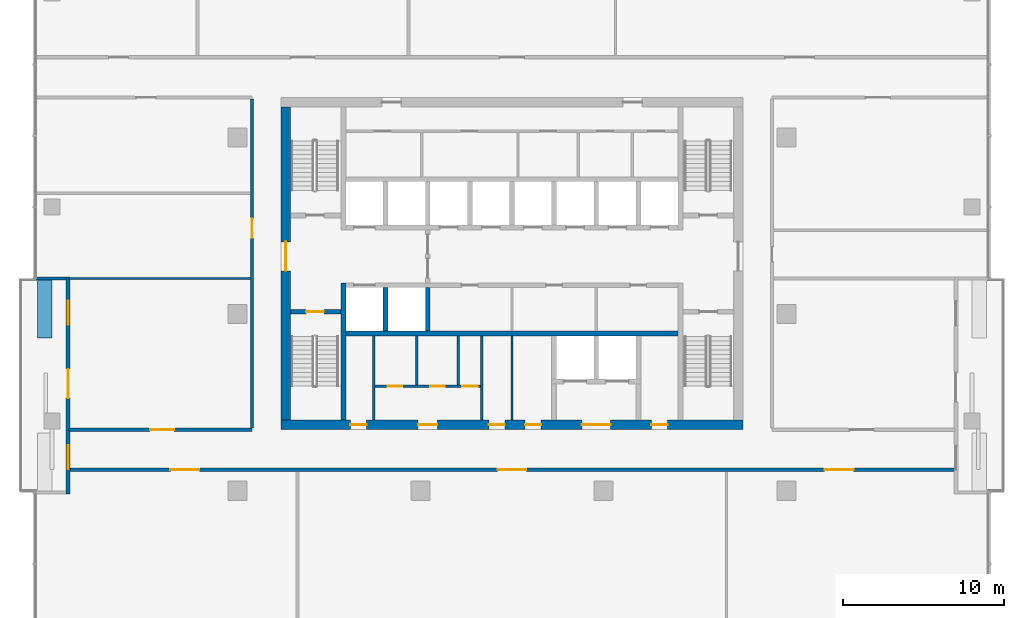
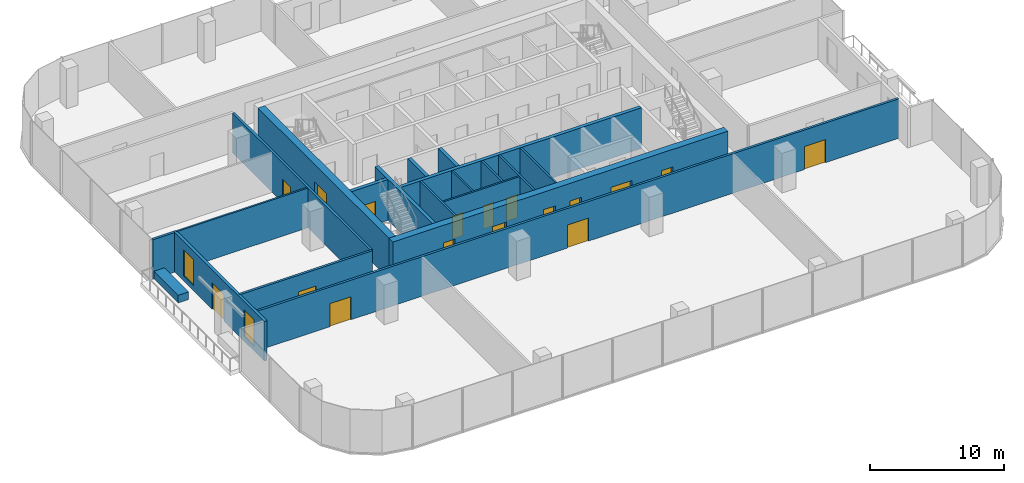
# One storey, part 7 of 13: 20 walls, 17 doors, 2 windows, 19 openings.
"""IFC4 building model written with IfcOpenShell, lengths in metres."""

from ifc_helpers import new_model, si_unit, direction, frame, frame_2d, origin, place, context, subcontext, project, spatial, rectangle, extrude, material, layer, layer_set, type_object, element, fill, save


model = new_model("IFC4")

# Units and contexts
model_context = context("Model", 3, precision=1e-05, world=origin(), true_north=direction((0.0, 1.0)))
body_context = subcontext(model_context, "Body", "Model", "MODEL_VIEW")
ifc_project = project(units=[si_unit("LENGTHUNIT", "METRE"), si_unit("AREAUNIT", "SQUARE_METRE"), si_unit("VOLUMEUNIT", "CUBIC_METRE"), si_unit("PLANEANGLEUNIT", "RADIAN"), si_unit("MASSUNIT", "GRAM", prefix="KILO")], contexts=[model_context])

# Site, building, storey
site_placement = place(None, origin())
site = spatial("IfcSite", under=ifc_project, at=site_placement, CompositionType="ELEMENT")
building_placement = place(site_placement, origin())
building = spatial("IfcBuilding", under=site, at=building_placement, Name="Mopane Tessera Tower", CompositionType="ELEMENT")
storey_placement = place(building_placement, frame((0.0, 0.0, 271.39990234375)))
storey = spatial("IfcBuildingStorey", under=building, at=storey_placement, Name="L58", CompositionType="ELEMENT", Elevation=271.39990234375)

# Wall
ifc_material_1 = material(Name="Fire-rated gypsum board partition")
ifc_layer_1 = layer(ifc_material_1, 0.14990234375)
ifc_layer_set_1 = layer_set([ifc_layer_1], Name="Fire-rated gypsum board partition")
wall_type_1 = type_object("IfcWallType", Name="Core room partition 150 mm", PredefinedType="PARTITIONING", material=ifc_layer_set_1)
wall_1_placement = place(storey_placement, frame((-8.625, -6.60009765625, 0.0), z_axis=(0.0, 0.0, 1.0), x_axis=(0.0, 1.0, 0.0)))
element("IfcWall", 1, at=wall_1_placement, inside=storey, type_object=wall_type_1, Name="L58 Room partition", PredefinedType="PARTITIONING", context=body_context, shape_type="SweptSolid", body=[
    extrude(rectangle(XDim=5.25, YDim=0.14990234375, at=frame_2d((2.625, 0.0))), origin(), (0.0, 0.0, 1.0), 3.7001953125),
])

# Wall, openings, doors
wall_2_placement = place(storey_placement, frame((-8.550048828125, -4.5, 0.0), z_axis=(0.0, 0.0, 1.0), x_axis=(1.0, 0.0, 0.0)))
wall_2 = element("IfcWall", 2, at=wall_2_placement, inside=storey, type_object=wall_type_1, Name="L58 WC partition", PredefinedType="PARTITIONING", context=body_context, shape_type="SweptSolid", body=[
    extrude(rectangle(XDim=6.60009765625, YDim=0.14990234375, at=frame_2d((3.300048828125, 0.0))), origin(), (0.0, 0.0, 1.0), 3.7001953125),
])
opening_1_placement = place(wall_2_placement, frame((0.824951171875, 0.0, 0.0)))
opening_1 = element("IfcOpeningElement", 3, at=opening_1_placement, cuts=wall_2, Name="Opening WD1", PredefinedType="OPENING", context=body_context, shape_type="SweptSolid", body=[
    extrude(rectangle(XDim=0.89990234375, YDim=2.10009765625, at=frame_2d((0.449951171875, 1.050048828125))), frame((0.0, 0.0869140625, 0.0), z_axis=(0.0, -1.0, 0.0), x_axis=(1.0, 0.0, 0.0)), (0.0, 0.0, 1.0), 0.173828125),
])
opening_2_placement = place(wall_2_placement, frame((3.45751953125, 0.0, 0.0)))
opening_2 = element("IfcOpeningElement", 4, at=opening_2_placement, cuts=wall_2, Name="Opening WD1", PredefinedType="OPENING", context=body_context, shape_type="SweptSolid", body=[
    extrude(rectangle(XDim=0.89990234375, YDim=2.10009765625, at=frame_2d((0.449951171875, 1.050048828125))), frame((0.0, 0.0869140625, 0.0), z_axis=(0.0, -1.0, 0.0), x_axis=(1.0, 0.0, 0.0)), (0.0, 0.0, 1.0), 0.173828125),
])
opening_3_placement = place(wall_2_placement, frame((5.45751953125, 0.0, 0.0)))
opening_3 = element("IfcOpeningElement", 5, at=opening_3_placement, cuts=wall_2, Name="Opening WD2", PredefinedType="OPENING", context=body_context, shape_type="SweptSolid", body=[
    extrude(rectangle(XDim=0.949951171875, YDim=2.10009765625, at=frame_2d((0.47509765625, 1.050048828125))), frame((0.0, 0.0869140625, 0.0), z_axis=(0.0, -1.0, 0.0), x_axis=(1.0, 0.0, 0.0)), (0.0, 0.0, 1.0), 0.173828125),
])
ifc_material_2 = material(Name="Timber door", Category="wood")
door_type_1 = type_object("IfcDoorType", Name="Accessible WC door 950 x 2100", OperationType="SINGLE_SWING_LEFT", PredefinedType="DOOR", material=ifc_material_2)
door_1_placement = place(opening_3_placement, origin())
door_1 = element("IfcDoor", 6, at=door_1_placement, inside=storey, type_object=door_type_1, Name="L58 Accessible WC door", OperationType="SINGLE_SWING_LEFT", OverallHeight=2.10009765625, OverallWidth=0.949951171875, PredefinedType="DOOR", context=body_context, shape_type="SweptSolid", body=[
    extrude(rectangle(XDim=0.949951171875, YDim=2.10009765625, at=frame_2d((0.47509765625, 1.050048828125))), frame((0.0, 0.02490234375, 0.0), z_axis=(0.0, -1.0, 0.0), x_axis=(1.0, 0.0, 0.0)), (0.0, 0.0, 1.0), 0.050048828125),
])
fill(opening_3, door_1)
ifc_material_3 = material(Name="Timber door", Category="wood")
door_type_2 = type_object("IfcDoorType", Name="WC cubicle door 900 x 2100", OperationType="SINGLE_SWING_LEFT", PredefinedType="DOOR", material=ifc_material_3)
door_2_placement = place(opening_1_placement, origin())
door_2 = element("IfcDoor", 7, at=door_2_placement, inside=storey, type_object=door_type_2, Name="L58 Men's WC door", OperationType="SINGLE_SWING_LEFT", OverallHeight=2.10009765625, OverallWidth=0.89990234375, PredefinedType="DOOR", context=body_context, shape_type="SweptSolid", body=[
    extrude(rectangle(XDim=0.89990234375, YDim=2.10009765625, at=frame_2d((0.449951171875, 1.050048828125))), frame((0.0, 0.02490234375, 0.0), z_axis=(0.0, -1.0, 0.0), x_axis=(1.0, 0.0, 0.0)), (0.0, 0.0, 1.0), 0.050048828125),
])
fill(opening_1, door_2)
door_3_placement = place(opening_2_placement, origin())
door_3 = element("IfcDoor", 8, at=door_3_placement, inside=storey, type_object=door_type_2, Name="L58 Women's WC door", OperationType="SINGLE_SWING_LEFT", OverallHeight=2.10009765625, OverallWidth=0.89990234375, PredefinedType="DOOR", context=body_context, shape_type="SweptSolid", body=[
    extrude(rectangle(XDim=0.89990234375, YDim=2.10009765625, at=frame_2d((0.449951171875, 1.050048828125))), frame((0.0, 0.02490234375, 0.0), z_axis=(0.0, -1.0, 0.0), x_axis=(1.0, 0.0, 0.0)), (0.0, 0.0, 1.0), 0.050048828125),
])
fill(opening_2, door_3)

# Walls
for number, where, z_axis, x_axis, name in (
    (9, (-5.925048828125, -4.425048828125, 0.0), (0.0, 0.0, 1.0), (0.0, 1.0, 0.0), "L58 WC partition"),
    (10, (-3.360107421875, -4.425048828125, 0.0), (0.0, 0.0, 1.0), (0.0, 1.0, 0.0), "L58 WC partition"),
):
    element("IfcWall", number, at=place(storey_placement, frame(where, z_axis=z_axis, x_axis=x_axis)), inside=storey, type_object=wall_type_1, Name=name, PredefinedType="PARTITIONING", context=body_context, shape_type="SweptSolid", body=[
        extrude(rectangle(XDim=3.074951171875, YDim=0.14990234375, at=frame_2d((1.53759765625, 0.0))), origin(), (0.0, 0.0, 1.0), 3.7001953125),
    ])
for number, where, z_axis, x_axis, name in (
    (11, (-1.875, -6.60009765625, 0.0), (0.0, 0.0, 1.0), (0.0, 1.0, 0.0), "L58 Room partition"),
    (12, (0.0, -6.60009765625, 0.0), (0.0, 0.0, 1.0), (0.0, 1.0, 0.0), "L58 Room partition"),
):
    element("IfcWall", number, at=place(storey_placement, frame(where, z_axis=z_axis, x_axis=x_axis)), inside=storey, type_object=wall_type_1, Name=name, PredefinedType="PARTITIONING", context=body_context, shape_type="SweptSolid", body=[
        extrude(rectangle(XDim=5.25, YDim=0.14990234375, at=frame_2d((2.625, 0.0))), origin(), (0.0, 0.0, 1.0), 3.7001953125),
    ])

# Wall, openings, doors
ifc_material_4 = material(Name="Concrete C70/85", Category="concrete")
ifc_layer_2 = layer(ifc_material_4, 0.60009765625)
ifc_layer_set_2 = layer_set([ifc_layer_2], Name="Concrete C70/85")
wall_type_2 = type_object("IfcWallType", Name="Core shear wall 600 mm", PredefinedType="SHEAR", material=ifc_layer_set_2)
wall_3_placement = place(storey_placement, frame((-14.39990234375, -6.89990234375, 0.0), z_axis=(0.0, 0.0, 1.0), x_axis=(1.0, 0.0, 0.0)))
wall_3 = element("IfcWall", 13, at=wall_3_placement, inside=storey, type_object=wall_type_2, Name="L58 Core wall south", PredefinedType="SHEAR", context=body_context, shape_type="SweptSolid", body=[
    extrude(rectangle(XDim=28.7998046875, YDim=0.60009765625, at=frame_2d((14.39990234375, 0.0))), origin(), (0.0, 0.0, 1.0), 3.7001953125),
])
opening_4_placement = place(wall_3_placement, frame((4.33740234375, 0.0, 0.0)))
opening_4 = element("IfcOpeningElement", 14, at=opening_4_placement, cuts=wall_3, Name="Opening RD1", PredefinedType="OPENING", context=body_context, shape_type="SweptSolid", body=[
    extrude(rectangle(XDim=1.0, YDim=2.10009765625, at=frame_2d((0.5, 1.050048828125))), frame((0.0, 0.31201171875, 0.0), z_axis=(0.0, -1.0, 0.0), x_axis=(1.0, 0.0, 0.0)), (0.0, 0.0, 1.0), 0.6240234375),
])
opening_5_placement = place(wall_3_placement, frame((8.550048828125, 0.0, 0.0)))
opening_5 = element("IfcOpeningElement", 15, at=opening_5_placement, cuts=wall_3, Name="Opening WD3", PredefinedType="OPENING", context=body_context, shape_type="SweptSolid", body=[
    extrude(rectangle(XDim=1.199951171875, YDim=2.10009765625, at=frame_2d((0.60009765625, 1.050048828125))), frame((0.0, 0.31201171875, 0.0), z_axis=(0.0, -1.0, 0.0), x_axis=(1.0, 0.0, 0.0)), (0.0, 0.0, 1.0), 0.6240234375),
])
opening_6_placement = place(wall_3_placement, frame((12.96240234375, 0.0, 0.0)))
opening_6 = element("IfcOpeningElement", 16, at=opening_6_placement, cuts=wall_3, Name="Opening RD1", PredefinedType="OPENING", context=body_context, shape_type="SweptSolid", body=[
    extrude(rectangle(XDim=1.0, YDim=2.10009765625, at=frame_2d((0.5, 1.050048828125))), frame((0.0, 0.31201171875, 0.0), z_axis=(0.0, -1.0, 0.0), x_axis=(1.0, 0.0, 0.0)), (0.0, 0.0, 1.0), 0.6240234375),
])
opening_7_placement = place(wall_3_placement, frame((15.21240234375, 0.0, 0.0)))
opening_7 = element("IfcOpeningElement", 17, at=opening_7_placement, cuts=wall_3, Name="Opening RD1", PredefinedType="OPENING", context=body_context, shape_type="SweptSolid", body=[
    extrude(rectangle(XDim=1.0, YDim=2.10009765625, at=frame_2d((0.5, 1.050048828125))), frame((0.0, 0.31201171875, 0.0), z_axis=(0.0, -1.0, 0.0), x_axis=(1.0, 0.0, 0.0)), (0.0, 0.0, 1.0), 0.6240234375),
])
opening_8_placement = place(wall_3_placement, frame((18.75, 0.0, 0.0)))
opening_8 = element("IfcOpeningElement", 18, at=opening_8_placement, cuts=wall_3, Name="Opening SD2", PredefinedType="OPENING", context=body_context, shape_type="SweptSolid", body=[
    extrude(rectangle(XDim=1.800048828125, YDim=2.10009765625, at=frame_2d((0.89990234375, 1.050048828125))), frame((0.0, 0.31201171875, 0.0), z_axis=(0.0, -1.0, 0.0), x_axis=(1.0, 0.0, 0.0)), (0.0, 0.0, 1.0), 0.6240234375),
])
opening_9_placement = place(wall_3_placement, frame((23.08740234375, 0.0, 0.0)))
opening_9 = element("IfcOpeningElement", 19, at=opening_9_placement, cuts=wall_3, Name="Opening RD1", PredefinedType="OPENING", context=body_context, shape_type="SweptSolid", body=[
    extrude(rectangle(XDim=1.0, YDim=2.10009765625, at=frame_2d((0.5, 1.050048828125))), frame((0.0, 0.31201171875, 0.0), z_axis=(0.0, -1.0, 0.0), x_axis=(1.0, 0.0, 0.0)), (0.0, 0.0, 1.0), 0.6240234375),
])
ifc_material_5 = material(Name="Steel fire door", Category="steel")
door_type_3 = type_object("IfcDoorType", Name="Core entrance double door 1800 x 2100", OperationType="DOUBLE_DOOR_SINGLE_SWING", PredefinedType="DOOR", material=ifc_material_5)
door_4_placement = place(opening_8_placement, origin())
door_4 = element("IfcDoor", 20, at=door_4_placement, inside=storey, type_object=door_type_3, Name="L58 Service lobby door", OperationType="DOUBLE_DOOR_SINGLE_SWING", OverallHeight=2.10009765625, OverallWidth=1.800048828125, PredefinedType="DOOR", context=body_context, shape_type="SweptSolid", body=[
    extrude(rectangle(XDim=1.800048828125, YDim=2.10009765625, at=frame_2d((0.89990234375, 1.050048828125))), frame((0.0, 0.02490234375, 0.0), z_axis=(0.0, -1.0, 0.0), x_axis=(1.0, 0.0, 0.0)), (0.0, 0.0, 1.0), 0.050048828125),
])
fill(opening_8, door_4)
ifc_material_6 = material(Name="Timber door", Category="wood")
door_type_4 = type_object("IfcDoorType", Name="Core room door 1000 x 2100", OperationType="SINGLE_SWING_LEFT", PredefinedType="DOOR", material=ifc_material_6)
door_5_placement = place(opening_4_placement, origin())
door_5 = element("IfcDoor", 21, at=door_5_placement, inside=storey, type_object=door_type_4, Name="L58 Room door", OperationType="SINGLE_SWING_LEFT", OverallHeight=2.10009765625, OverallWidth=1.0, PredefinedType="DOOR", context=body_context, shape_type="SweptSolid", body=[
    extrude(rectangle(XDim=1.0, YDim=2.10009765625, at=frame_2d((0.5, 1.050048828125))), frame((0.0, 0.02490234375, 0.0), z_axis=(0.0, -1.0, 0.0), x_axis=(1.0, 0.0, 0.0)), (0.0, 0.0, 1.0), 0.050048828125),
])
fill(opening_4, door_5)
door_6_placement = place(opening_6_placement, origin())
door_6 = element("IfcDoor", 22, at=door_6_placement, inside=storey, type_object=door_type_4, Name="L58 Room door", OperationType="SINGLE_SWING_LEFT", OverallHeight=2.10009765625, OverallWidth=1.0, PredefinedType="DOOR", context=body_context, shape_type="SweptSolid", body=[
    extrude(rectangle(XDim=1.0, YDim=2.10009765625, at=frame_2d((0.5, 1.050048828125))), frame((0.0, 0.02490234375, 0.0), z_axis=(0.0, -1.0, 0.0), x_axis=(1.0, 0.0, 0.0)), (0.0, 0.0, 1.0), 0.050048828125),
])
fill(opening_6, door_6)
door_7_placement = place(opening_7_placement, origin())
door_7 = element("IfcDoor", 23, at=door_7_placement, inside=storey, type_object=door_type_4, Name="L58 Room door", OperationType="SINGLE_SWING_LEFT", OverallHeight=2.10009765625, OverallWidth=1.0, PredefinedType="DOOR", context=body_context, shape_type="SweptSolid", body=[
    extrude(rectangle(XDim=1.0, YDim=2.10009765625, at=frame_2d((0.5, 1.050048828125))), frame((0.0, 0.02490234375, 0.0), z_axis=(0.0, -1.0, 0.0), x_axis=(1.0, 0.0, 0.0)), (0.0, 0.0, 1.0), 0.050048828125),
])
fill(opening_7, door_7)
door_8_placement = place(opening_9_placement, origin())
door_8 = element("IfcDoor", 24, at=door_8_placement, inside=storey, type_object=door_type_4, Name="L58 Room door", OperationType="SINGLE_SWING_LEFT", OverallHeight=2.10009765625, OverallWidth=1.0, PredefinedType="DOOR", context=body_context, shape_type="SweptSolid", body=[
    extrude(rectangle(XDim=1.0, YDim=2.10009765625, at=frame_2d((0.5, 1.050048828125))), frame((0.0, 0.02490234375, 0.0), z_axis=(0.0, -1.0, 0.0), x_axis=(1.0, 0.0, 0.0)), (0.0, 0.0, 1.0), 0.050048828125),
])
fill(opening_9, door_8)
ifc_material_7 = material(Name="Timber door", Category="wood")
door_type_5 = type_object("IfcDoorType", Name="WC lobby door 1200 x 2100", OperationType="SINGLE_SWING_LEFT", PredefinedType="DOOR", material=ifc_material_7)
door_9_placement = place(opening_5_placement, origin())
door_9 = element("IfcDoor", 25, at=door_9_placement, inside=storey, type_object=door_type_5, Name="L58 WC lobby door", OperationType="SINGLE_SWING_LEFT", OverallHeight=2.10009765625, OverallWidth=1.199951171875, PredefinedType="DOOR", context=body_context, shape_type="SweptSolid", body=[
    extrude(rectangle(XDim=1.199951171875, YDim=2.10009765625, at=frame_2d((0.60009765625, 1.050048828125))), frame((0.0, 0.02490234375, 0.0), z_axis=(0.0, -1.0, 0.0), x_axis=(1.0, 0.0, 0.0)), (0.0, 0.0, 1.0), 0.050048828125),
])
fill(opening_5, door_9)

# Wall, opening, door
wall_4_placement = place(storey_placement, frame((-14.10009765625, -6.60009765625, 0.0), z_axis=(0.0, 0.0, 1.0), x_axis=(0.0, 1.0, 0.0)))
wall_4 = element("IfcWall", 26, at=wall_4_placement, inside=storey, type_object=wall_type_2, Name="L58 Core wall west", PredefinedType="SHEAR", context=body_context, shape_type="SweptSolid", body=[
    extrude(rectangle(XDim=19.5, YDim=0.60009765625, at=frame_2d((9.75, 0.0))), origin(), (0.0, 0.0, 1.0), 3.7001953125),
])
opening_10_placement = place(wall_4_placement, frame((9.300048828125, 0.0, 0.0)))
opening_10 = element("IfcOpeningElement", 27, at=opening_10_placement, cuts=wall_4, Name="Opening SD2", PredefinedType="OPENING", context=body_context, shape_type="SweptSolid", body=[
    extrude(rectangle(XDim=1.800048828125, YDim=2.10009765625, at=frame_2d((0.89990234375, 1.050048828125))), frame((0.0, 0.31201171875, 0.0), z_axis=(0.0, -1.0, 0.0), x_axis=(1.0, 0.0, 0.0)), (0.0, 0.0, 1.0), 0.6240234375),
])
door_10_placement = place(opening_10_placement, origin())
door_10 = element("IfcDoor", 28, at=door_10_placement, inside=storey, type_object=door_type_3, Name="L58 Core entrance door west", OperationType="DOUBLE_DOOR_SINGLE_SWING", OverallHeight=2.10009765625, OverallWidth=1.800048828125, PredefinedType="DOOR", context=body_context, shape_type="SweptSolid", body=[
    extrude(rectangle(XDim=1.800048828125, YDim=2.10009765625, at=frame_2d((0.89990234375, 1.050048828125))), frame((0.0, 0.02490234375, 0.0), z_axis=(0.0, -1.0, 0.0), x_axis=(1.0, 0.0, 0.0)), (0.0, 0.0, 1.0), 0.050048828125),
])
fill(opening_10, door_10)

# Wall
ifc_material_8 = material(Name="Concrete C60/75", Category="concrete")
ifc_layer_3 = layer(ifc_material_8, 0.300048828125)
ifc_layer_set_3 = layer_set([ifc_layer_3], Name="Concrete C60/75")
wall_type_3 = type_object("IfcWallType", Name="Core spine wall 300 mm", PredefinedType="SHEAR", material=ifc_layer_set_3)
wall_5_placement = place(storey_placement, frame((-10.5, -6.60009765625, 0.0), z_axis=(0.0, 0.0, 1.0), x_axis=(0.0, 1.0, 0.0)))
element("IfcWall", 29, at=wall_5_placement, inside=storey, type_object=wall_type_3, Name="L58 Core spine wall", PredefinedType="SHEAR", context=body_context, shape_type="SweptSolid", body=[
    extrude(rectangle(XDim=8.550048828125, YDim=0.300048828125, at=frame_2d((4.27490234375, 0.0))), origin(), (0.0, 0.0, 1.0), 3.7001953125),
])

# Wall, openings, doors
ifc_material_9 = material(Name="Gypsum board on steel studs, two layers each face, mineral wool infill", Category="steel")
ifc_layer_4 = layer(ifc_material_9, 0.199951171875)
ifc_layer_set_4 = layer_set([ifc_layer_4], Name="Gypsum board on steel studs, two layers each face, mineral wool infill")
wall_type_4 = type_object("IfcWallType", Name="Gypsum board corridor wall 200, rated EI 60", PredefinedType="PARTITIONING", material=ifc_layer_set_4)
wall_6_placement = place(storey_placement, frame((-27.60009765625, -9.699951171875, 0.0), z_axis=(0.0, 0.0, 1.0), x_axis=(1.0, 0.0, 0.0)))
wall_6 = element("IfcWall", 30, at=wall_6_placement, inside=storey, type_object=wall_type_4, Name="Partition L58:000", PredefinedType="PARTITIONING", context=body_context, shape_type="SweptSolid", body=[
    extrude(rectangle(XDim=55.2001953125, YDim=0.199951171875, at=frame_2d((27.60009765625, 0.0))), origin(), (0.0, 0.0, 1.0), 3.60009765625),
])
opening_11_placement = place(wall_6_placement, frame((47.08251953125, 0.0, 0.0)))
opening_11 = element("IfcOpeningElement", 31, at=opening_11_placement, cuts=wall_6, Name="Opening L58-07", PredefinedType="OPENING", context=body_context, shape_type="SweptSolid", body=[
    extrude(rectangle(XDim=1.800048828125, YDim=2.10009765625, at=frame_2d((0.89990234375, 1.050048828125))), frame((0.0, 0.112060546875, 0.0), z_axis=(0.0, -1.0, 0.0), x_axis=(1.0, 0.0, 0.0)), (0.0, 0.0, 1.0), 0.223876953125),
])
opening_12_placement = place(wall_6_placement, frame((26.699951171875, 0.0, 0.0)))
opening_12 = element("IfcOpeningElement", 32, at=opening_12_placement, cuts=wall_6, Name="Opening L58-10", PredefinedType="OPENING", context=body_context, shape_type="SweptSolid", body=[
    extrude(rectangle(XDim=1.800048828125, YDim=2.10009765625, at=frame_2d((0.89990234375, 1.050048828125))), frame((0.0, 0.112060546875, 0.0), z_axis=(0.0, -1.0, 0.0), x_axis=(1.0, 0.0, 0.0)), (0.0, 0.0, 1.0), 0.223876953125),
])
opening_13_placement = place(wall_6_placement, frame((6.3173828125, 0.0, 0.0)))
opening_13 = element("IfcOpeningElement", 33, at=opening_13_placement, cuts=wall_6, Name="Opening L58-11", PredefinedType="OPENING", context=body_context, shape_type="SweptSolid", body=[
    extrude(rectangle(XDim=1.800048828125, YDim=2.10009765625, at=frame_2d((0.89990234375, 1.050048828125))), frame((0.0, 0.112060546875, 0.0), z_axis=(0.0, -1.0, 0.0), x_axis=(1.0, 0.0, 0.0)), (0.0, 0.0, 1.0), 0.223876953125),
])
ifc_material_10 = material(Name="Timber veneered steel-framed fire door", Category="steel")
door_type_6 = type_object("IfcDoorType", Name="Fire door pair FD60 1800 x 2100", OperationType="DOUBLE_DOOR_SINGLE_SWING", PredefinedType="DOOR", material=ifc_material_10)
door_11_placement = place(opening_11_placement, origin())
door_11 = element("IfcDoor", 34, at=door_11_placement, inside=storey, type_object=door_type_6, Name="Door L58-07", ObjectType="D20A", OperationType="DOUBLE_DOOR_SINGLE_SWING", OverallHeight=2.10009765625, OverallWidth=1.800048828125, PredefinedType="DOOR", context=body_context, shape_type="SweptSolid", body=[
    extrude(rectangle(XDim=1.800048828125, YDim=2.10009765625, at=frame_2d((0.89990234375, 1.050048828125))), frame((0.0, 0.02490234375, 0.0), z_axis=(0.0, -1.0, 0.0), x_axis=(1.0, 0.0, 0.0)), (0.0, 0.0, 1.0), 0.050048828125),
])
fill(opening_11, door_11)
door_12_placement = place(opening_12_placement, origin())
door_12 = element("IfcDoor", 35, at=door_12_placement, inside=storey, type_object=door_type_6, Name="Door L58-10", ObjectType="D20A", OperationType="DOUBLE_DOOR_SINGLE_SWING", OverallHeight=2.10009765625, OverallWidth=1.800048828125, PredefinedType="DOOR", context=body_context, shape_type="SweptSolid", body=[
    extrude(rectangle(XDim=1.800048828125, YDim=2.10009765625, at=frame_2d((0.89990234375, 1.050048828125))), frame((0.0, 0.02490234375, 0.0), z_axis=(0.0, -1.0, 0.0), x_axis=(1.0, 0.0, 0.0)), (0.0, 0.0, 1.0), 0.050048828125),
])
fill(opening_12, door_12)
door_13_placement = place(opening_13_placement, origin())
door_13 = element("IfcDoor", 36, at=door_13_placement, inside=storey, type_object=door_type_6, Name="Door L58-11", ObjectType="D20A", OperationType="DOUBLE_DOOR_SINGLE_SWING", OverallHeight=2.10009765625, OverallWidth=1.800048828125, PredefinedType="DOOR", context=body_context, shape_type="SweptSolid", body=[
    extrude(rectangle(XDim=1.800048828125, YDim=2.10009765625, at=frame_2d((0.89990234375, 1.050048828125))), frame((0.0, 0.02490234375, 0.0), z_axis=(0.0, -1.0, 0.0), x_axis=(1.0, 0.0, 0.0)), (0.0, 0.0, 1.0), 0.050048828125),
])
fill(opening_13, door_13)

# Wall, opening, door
wall_7_placement = place(storey_placement, frame((-27.60009765625, -7.199951171875, 0.0), z_axis=(0.0, 0.0, 1.0), x_axis=(1.0, 0.0, 0.0)))
wall_7 = element("IfcWall", 37, at=wall_7_placement, inside=storey, type_object=wall_type_4, Name="Partition L58:001", PredefinedType="PARTITIONING", context=body_context, shape_type="SweptSolid", body=[
    extrude(rectangle(XDim=11.400146484375, YDim=0.199951171875, at=frame_2d((5.7001953125, 0.0))), origin(), (0.0, 0.0, 1.0), 3.60009765625),
])
opening_14_placement = place(wall_7_placement, frame((5.050048828125, 0.0, 0.0)))
opening_14 = element("IfcOpeningElement", 38, at=opening_14_placement, cuts=wall_7, Name="Opening L58-03", PredefinedType="OPENING", context=body_context, shape_type="SweptSolid", body=[
    extrude(rectangle(XDim=1.5, YDim=2.10009765625, at=frame_2d((0.75, 1.050048828125))), frame((0.0, 0.112060546875, 0.0), z_axis=(0.0, -1.0, 0.0), x_axis=(1.0, 0.0, 0.0)), (0.0, 0.0, 1.0), 0.223876953125),
])
ifc_material_11 = material(Name="Timber veneered steel-framed fire door", Category="steel")
door_type_7 = type_object("IfcDoorType", Name="Fire door pair FD60 1500 x 2100", OperationType="DOUBLE_DOOR_SINGLE_SWING", PredefinedType="DOOR", material=ifc_material_11)
door_14_placement = place(opening_14_placement, origin())
door_14 = element("IfcDoor", 39, at=door_14_placement, inside=storey, type_object=door_type_7, Name="Door L58-03", ObjectType="D17A", OperationType="DOUBLE_DOOR_SINGLE_SWING", OverallHeight=2.10009765625, OverallWidth=1.5, PredefinedType="DOOR", context=body_context, shape_type="SweptSolid", body=[
    extrude(rectangle(XDim=1.5, YDim=2.10009765625, at=frame_2d((0.75, 1.050048828125))), frame((0.0, 0.02490234375, 0.0), z_axis=(0.0, -1.0, 0.0), x_axis=(1.0, 0.0, 0.0)), (0.0, 0.0, 1.0), 0.050048828125),
])
fill(opening_14, door_14)

wall_8_placement = place(storey_placement, frame((-16.199951171875, -7.10009765625, 0.0), z_axis=(0.0, 0.0, 1.0), x_axis=(0.0, 1.0, 0.0)))
wall_8 = element("IfcWall", 40, at=wall_8_placement, inside=storey, type_object=wall_type_4, Name="Partition L58:011", PredefinedType="PARTITIONING", context=body_context, shape_type="SweptSolid", body=[
    extrude(rectangle(XDim=20.5, YDim=0.199951171875, at=frame_2d((10.25, 0.0))), origin(), (0.0, 0.0, 1.0), 3.60009765625),
])
opening_15_placement = place(wall_8_placement, frame((11.844970703125, 0.0, 0.0)))
opening_15 = element("IfcOpeningElement", 41, at=opening_15_placement, cuts=wall_8, Name="Opening L58-09", PredefinedType="OPENING", context=body_context, shape_type="SweptSolid", body=[
    extrude(rectangle(XDim=1.199951171875, YDim=2.10009765625, at=frame_2d((0.60009765625, 1.050048828125))), frame((0.0, 0.112060546875, 0.0), z_axis=(0.0, -1.0, 0.0), x_axis=(1.0, 0.0, 0.0)), (0.0, 0.0, 1.0), 0.223876953125),
])
ifc_material_12 = material(Name="Timber veneered steel-framed fire door", Category="steel")
door_type_8 = type_object("IfcDoorType", Name="Fire door FD60 1200 x 2100", OperationType="SINGLE_SWING_LEFT", PredefinedType="DOOR", material=ifc_material_12)
door_15_placement = place(opening_15_placement, origin())
door_15 = element("IfcDoor", 42, at=door_15_placement, inside=storey, type_object=door_type_8, Name="Door L58-09", ObjectType="D15A", OperationType="SINGLE_SWING_RIGHT", OverallHeight=2.10009765625, OverallWidth=1.199951171875, PredefinedType="DOOR", context=body_context, shape_type="SweptSolid", body=[
    extrude(rectangle(XDim=1.199951171875, YDim=2.10009765625, at=frame_2d((0.60009765625, 1.050048828125))), frame((0.0, 0.02490234375, 0.0), z_axis=(0.0, -1.0, 0.0), x_axis=(1.0, 0.0, 0.0)), (0.0, 0.0, 1.0), 0.050048828125),
])
fill(opening_15, door_15)

# Wall
ifc_material_13 = material(Name="Gypsum board on steel studs, mineral wool infill", Category="steel")
ifc_layer_5 = layer(ifc_material_13, 0.14990234375)
ifc_layer_set_5 = layer_set([ifc_layer_5], Name="Gypsum board on steel studs, mineral wool infill")
wall_type_5 = type_object("IfcWallType", Name="Gypsum board partition 150, rated EI 60", PredefinedType="PARTITIONING", material=ifc_layer_set_5)
wall_9_placement = place(storey_placement, frame((-27.60009765625, 2.219970703125, 0.0), z_axis=(0.0, 0.0, 1.0), x_axis=(1.0, 0.0, 0.0)))
element("IfcWall", 43, at=wall_9_placement, inside=storey, type_object=wall_type_5, Name="Partition L58:003", PredefinedType="PARTITIONING", context=body_context, shape_type="SweptSolid", body=[
    extrude(rectangle(XDim=11.300048828125, YDim=0.14990234375, at=frame_2d((5.64990234375, 0.0))), origin(), (0.0, 0.0, 1.0), 3.60009765625),
])

# Wall, opening, door
ifc_material_14 = material(Name="Concrete C50/60", Category="concrete")
ifc_layer_6 = layer(ifc_material_14, 0.300048828125)
ifc_layer_set_6 = layer_set([ifc_layer_6], Name="Concrete C50/60")
wall_type_6 = type_object("IfcWallType", Name="Lift and stair shaft wall 300 mm", PredefinedType="SOLIDWALL", material=ifc_layer_set_6)
wall_10_placement = place(storey_placement, frame((-13.800048828125, 0.14990234375, 0.0), z_axis=(0.0, 0.0, 1.0), x_axis=(1.0, 0.0, 0.0)))
wall_10 = element("IfcWall", 44, at=wall_10_placement, inside=storey, type_object=wall_type_6, Name="L58 Stair enclosure wall", PredefinedType="SOLIDWALL", context=body_context, shape_type="SweptSolid", body=[
    extrude(rectangle(XDim=3.150146484375, YDim=0.300048828125, at=frame_2d((1.5751953125, 0.0))), origin(), (0.0, 0.0, 1.0), 3.7001953125),
])
opening_16_placement = place(wall_10_placement, frame((0.97509765625, 0.0, 0.0)))
opening_16 = element("IfcOpeningElement", 45, at=opening_16_placement, cuts=wall_10, Name="Opening SD1", PredefinedType="OPENING", context=body_context, shape_type="SweptSolid", body=[
    extrude(rectangle(XDim=1.10009765625, YDim=2.10009765625, at=frame_2d((0.550048828125, 1.050048828125))), frame((0.0, 0.162109375, 0.0), z_axis=(0.0, -1.0, 0.0), x_axis=(1.0, 0.0, 0.0)), (0.0, 0.0, 1.0), 0.323974609375),
])
ifc_material_15 = material(Name="Steel fire door", Category="steel")
door_type_9 = type_object("IfcDoorType", Name="Stair fire door 1100 x 2100", OperationType="SINGLE_SWING_LEFT", PredefinedType="DOOR", material=ifc_material_15)
door_16_placement = place(opening_16_placement, origin())
door_16 = element("IfcDoor", 46, at=door_16_placement, inside=storey, type_object=door_type_9, Name="L58 Stair door ST1", OperationType="SINGLE_SWING_LEFT", OverallHeight=2.10009765625, OverallWidth=1.10009765625, PredefinedType="DOOR", context=body_context, shape_type="SweptSolid", body=[
    extrude(rectangle(XDim=1.10009765625, YDim=2.10009765625, at=frame_2d((0.550048828125, 1.050048828125))), frame((0.0, 0.02490234375, 0.0), z_axis=(0.0, -1.0, 0.0), x_axis=(1.0, 0.0, 0.0)), (0.0, 0.0, 1.0), 0.050048828125),
])
fill(opening_16, door_16)

# Walls
wall_11_placement = place(storey_placement, frame((-10.35009765625, -1.199951171875, 0.0), z_axis=(0.0, 0.0, 1.0), x_axis=(1.0, 0.0, 0.0)))
element("IfcWall", 47, at=wall_11_placement, inside=storey, type_object=wall_type_6, Name="L58 Lift shaft rear wall", PredefinedType="SOLIDWALL", context=body_context, shape_type="SweptSolid", body=[
    extrude(rectangle(XDim=20.7001953125, YDim=0.300048828125, at=frame_2d((10.35009765625, 0.0))), origin(), (0.0, 0.0, 1.0), 3.7001953125),
])
for number, where, z_axis, x_axis, name in (
    (48, (-7.875, -1.050048828125, 0.0), (0.0, 0.0, 1.0), (0.0, 1.0, 0.0), "L58 Lift shaft wall"),
    (49, (-5.25, -1.050048828125, 0.0), (0.0, 0.0, 1.0), (0.0, 1.0, 0.0), "L58 Lift shaft wall"),
):
    element("IfcWall", number, at=place(storey_placement, frame(where, z_axis=z_axis, x_axis=x_axis)), inside=storey, type_object=wall_type_6, Name=name, PredefinedType="SOLIDWALL", context=body_context, shape_type="SweptSolid", body=[
        extrude(rectangle(XDim=2.699951171875, YDim=0.300048828125, at=frame_2d((1.35009765625, 0.0))), origin(), (0.0, 0.0, 1.0), 3.7001953125),
    ])
ifc_material_16 = material(Name="Reinforced concrete C32/40 with waterproofing", Category="concrete")
ifc_layer_7 = layer(ifc_material_16, 0.89990234375)
ifc_layer_set_7 = layer_set([ifc_layer_7], Name="Reinforced concrete C32/40 with waterproofing")
wall_type_7 = type_object("IfcWallType", Name="Planter trough 3600 x 900", PredefinedType="STANDARD", material=ifc_layer_set_7)
wall_12_placement = place(storey_placement, frame((-29.10009765625, 2.122314453125, 0.0), z_axis=(0.0, 0.0, 1.0), x_axis=(0.0, -1.0, 0.0)))
element("IfcWall", 50, at=wall_12_placement, inside=storey, type_object=wall_type_7, Name="e:nw:L58:N3:pl0", PredefinedType="STANDARD", context=body_context, shape_type="SweptSolid", body=[
    extrude(rectangle(XDim=3.60009765625, YDim=0.89990234375, at=frame_2d((1.800048828125, 0.0))), origin(), (0.0, 0.0, 1.0), 0.7001953125),
])
ifc_material_17 = material(Name="Blockwork with glazed tile facing", Category="masonry")
ifc_layer_8 = layer(ifc_material_17, 0.199951171875)
ifc_layer_set_8 = layer_set([ifc_layer_8], Name="Blockwork with glazed tile facing")
wall_type_8 = type_object("IfcWallType", Name="Terrace cheek wall 200", PredefinedType="STANDARD", material=ifc_layer_set_8)
wall_13_placement = place(storey_placement, frame((-29.64990234375, 2.22216796875, 0.0), z_axis=(0.0, 0.0, 1.0), x_axis=(1.0, 0.0, 0.0)))
element("IfcWall", 51, at=wall_13_placement, inside=storey, type_object=wall_type_8, Name="e:nw:L58:N3:cheeka", PredefinedType="STANDARD", context=body_context, shape_type="SweptSolid", body=[
    extrude(rectangle(XDim=1.875, YDim=0.199951171875, at=frame_2d((0.9375, 0.0))), origin(), (0.0, 0.0, 1.0), 3.60009765625),
])

# Wall, openings, windows, door
ifc_material_18 = material(Name="Blockwork with turquoise glazed tile facing", Category="masonry")
ifc_layer_9 = layer(ifc_material_18, 0.25)
ifc_layer_set_9 = layer_set([ifc_layer_9], Name="Blockwork with turquoise glazed tile facing")
wall_type_9 = type_object("IfcWallType", Name="Tile-clad external wall 250, turquoise", PredefinedType="STANDARD", material=ifc_layer_set_9)
wall_14_placement = place(storey_placement, frame((-27.64990234375, 2.322265625, 0.0), z_axis=(0.0, 0.0, 1.0), x_axis=(0.0, -1.0, 0.0)))
wall_14 = element("IfcWall", 52, at=wall_14_placement, inside=storey, type_object=wall_type_9, Name="e:nw:L58:N3:back", PredefinedType="STANDARD", context=body_context, shape_type="SweptSolid", body=[
    extrude(rectangle(XDim=13.533447265625, YDim=0.25, at=frame_2d((6.7666015625, 0.0))), origin(), (0.0, 0.0, 1.0), 3.60009765625),
])
opening_17_placement = place(wall_14_placement, frame((1.5, 0.0, 0.449951171875)))
opening_17 = element("IfcOpeningElement", 53, at=opening_17_placement, cuts=wall_14, Name="Opening NW583A", PredefinedType="OPENING", context=body_context, shape_type="SweptSolid", body=[
    extrude(rectangle(XDim=1.5, YDim=2.39990234375, at=frame_2d((0.75, 1.199951171875))), frame((0.0, 0.136962890625, 0.0), z_axis=(0.0, -1.0, 0.0), x_axis=(1.0, 0.0, 0.0)), (0.0, 0.0, 1.0), 0.27392578125),
])
opening_18_placement = place(wall_14_placement, frame((5.75, 0.0, 0.0)))
opening_18 = element("IfcOpeningElement", 54, at=opening_18_placement, cuts=wall_14, Name="Opening ND583", PredefinedType="OPENING", context=body_context, shape_type="SweptSolid", body=[
    extrude(rectangle(XDim=1.800048828125, YDim=2.39990234375, at=frame_2d((0.89990234375, 1.199951171875))), frame((0.0, 0.136962890625, 0.0), z_axis=(0.0, -1.0, 0.0), x_axis=(1.0, 0.0, 0.0)), (0.0, 0.0, 1.0), 0.27392578125),
])
opening_19_placement = place(wall_14_placement, frame((10.5, 0.0, 0.449951171875)))
opening_19 = element("IfcOpeningElement", 55, at=opening_19_placement, cuts=wall_14, Name="Opening NW583B", PredefinedType="OPENING", context=body_context, shape_type="SweptSolid", body=[
    extrude(rectangle(XDim=1.5, YDim=2.39990234375, at=frame_2d((0.75, 1.199951171875))), frame((0.0, 0.136962890625, 0.0), z_axis=(0.0, -1.0, 0.0), x_axis=(1.0, 0.0, 0.0)), (0.0, 0.0, 1.0), 0.27392578125),
])
ifc_material_19 = material(Name="Clear laminated glass", Category="glass")
window_type = type_object("IfcWindowType", Name="Fixed window 1500 x 2400", PartitioningType="SINGLE_PANEL", PredefinedType="WINDOW", material=ifc_material_19)
window_1_placement = place(opening_17_placement, origin())
window_1 = element("IfcWindow", 56, at=window_1_placement, inside=storey, type_object=window_type, Name="e:nw:L58:N3:win0", OverallHeight=2.39990234375, OverallWidth=1.5, PartitioningType="SINGLE_PANEL", PredefinedType="WINDOW", context=body_context, shape_type="SweptSolid", body=[
    extrude(rectangle(XDim=1.5, YDim=2.39990234375, at=frame_2d((0.75, 1.199951171875))), frame((0.0, 0.030029296875, 0.0), z_axis=(0.0, -1.0, 0.0), x_axis=(1.0, 0.0, 0.0)), (0.0, 0.0, 1.0), 0.06005859375),
])
fill(opening_17, window_1)
window_2_placement = place(opening_19_placement, origin())
window_2 = element("IfcWindow", 57, at=window_2_placement, inside=storey, type_object=window_type, Name="e:nw:L58:N3:win2", OverallHeight=2.39990234375, OverallWidth=1.5, PartitioningType="SINGLE_PANEL", PredefinedType="WINDOW", context=body_context, shape_type="SweptSolid", body=[
    extrude(rectangle(XDim=1.5, YDim=2.39990234375, at=frame_2d((0.75, 1.199951171875))), frame((0.0, 0.030029296875, 0.0), z_axis=(0.0, -1.0, 0.0), x_axis=(1.0, 0.0, 0.0)), (0.0, 0.0, 1.0), 0.06005859375),
])
fill(opening_19, window_2)
ifc_material_20 = material(Name="Aluminium and clear glass", Category="aluminium")
door_type_10 = type_object("IfcDoorType", Name="Terrace double door 1800 x 2400", OperationType="DOUBLE_DOOR_SINGLE_SWING", PredefinedType="DOOR", material=ifc_material_20)
door_17_placement = place(opening_18_placement, origin())
door_17 = element("IfcDoor", 58, at=door_17_placement, inside=storey, type_object=door_type_10, Name="e:nw:L58:N3:door", ObjectType="D1", OperationType="DOUBLE_DOOR_SINGLE_SWING", OverallHeight=2.39990234375, OverallWidth=1.800048828125, PredefinedType="DOOR", context=body_context, shape_type="SweptSolid", body=[
    extrude(rectangle(XDim=1.800048828125, YDim=2.39990234375, at=frame_2d((0.89990234375, 1.199951171875))), frame((0.0, 0.02490234375, 0.0), z_axis=(0.0, -1.0, 0.0), x_axis=(1.0, 0.0, 0.0)), (0.0, 0.0, 1.0), 0.050048828125),
])
fill(opening_18, door_17)

save(model, "model.ifc")
